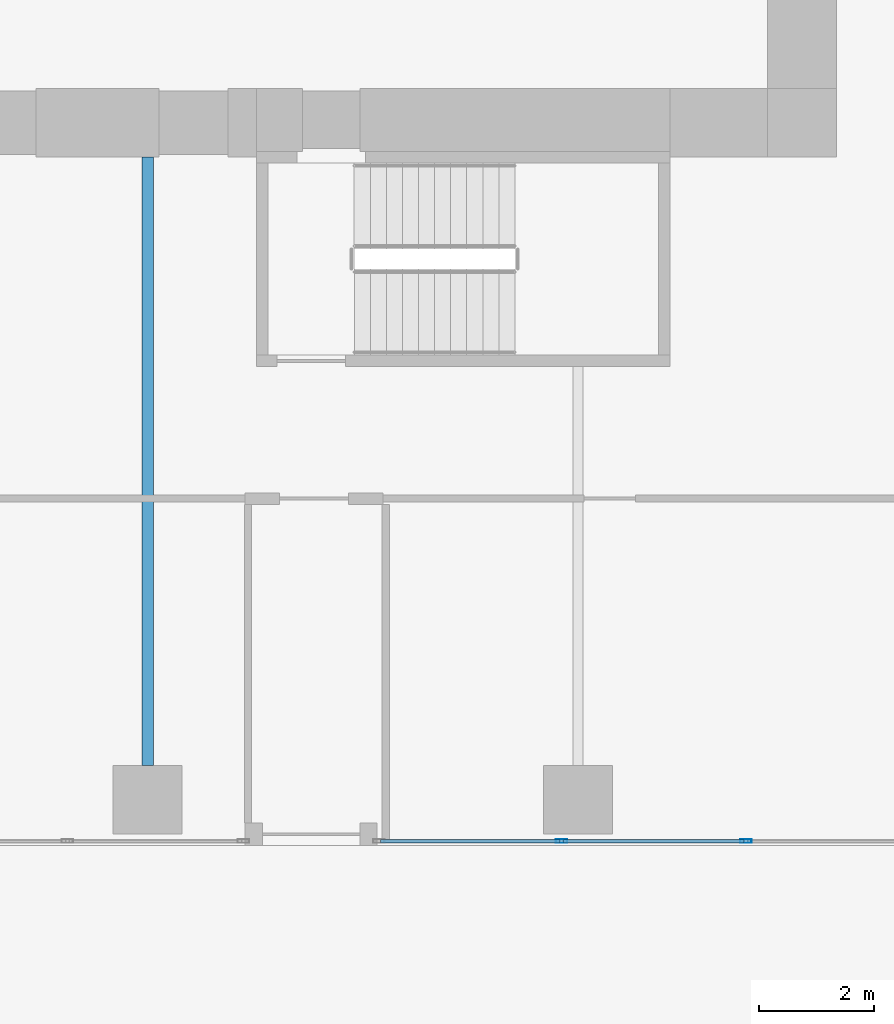
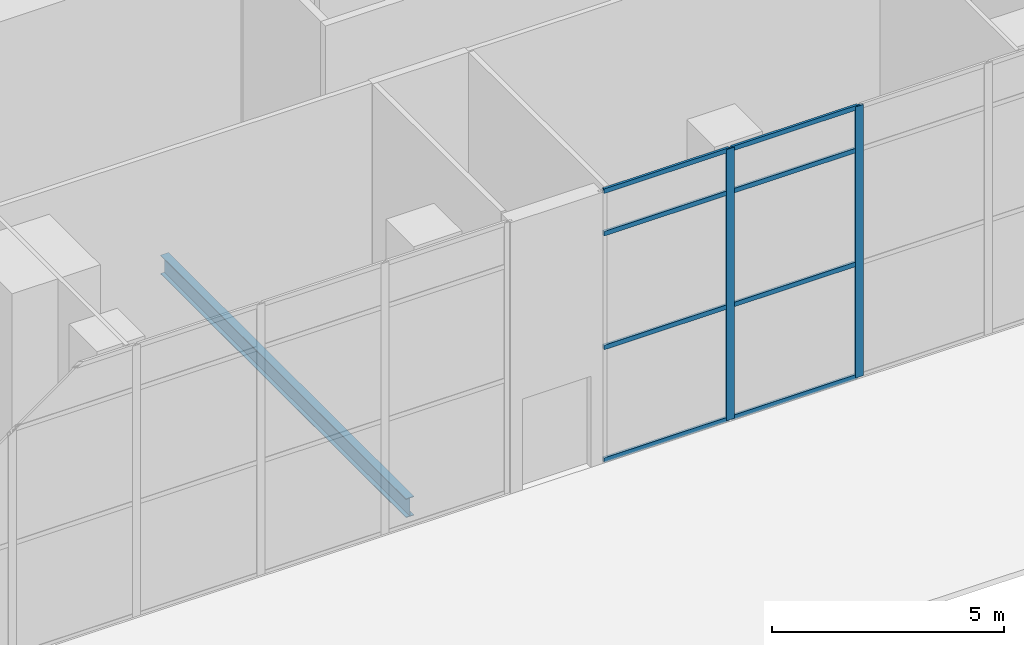
# One storey, part 6 of 52: 10 members, 1 beam, 1 element without a shape of its own.
"""IFC4 building model written with IfcOpenShell, lengths in metres."""

from ifc_helpers import new_model, si_unit, direction, frame, origin, origin_2d, place, context, subcontext, project, spatial, hollow_rectangle, i_section, extrude, source, transform, mapped, material, material_profile, profile_set, type_object, element, aggregate, save


model = new_model("IFC4")

# Units and contexts
model_context = context("Model", 3, precision=1e-05, world=origin(), true_north=direction((0.0, 1.0)))
body_context = subcontext(model_context, "Body", "Model", "MODEL_VIEW")
ifc_project = project(units=[si_unit("LENGTHUNIT", "METRE"), si_unit("AREAUNIT", "SQUARE_METRE"), si_unit("VOLUMEUNIT", "CUBIC_METRE"), si_unit("PLANEANGLEUNIT", "RADIAN"), si_unit("MASSUNIT", "GRAM", prefix="KILO")], contexts=[model_context])

# Site, building, storey
site_placement = place(None, origin())
site = spatial("IfcSite", under=ifc_project, at=site_placement, CompositionType="ELEMENT")
building_placement = place(site_placement, origin())
building = spatial("IfcBuilding", under=site, at=building_placement, Name="Khomas Fold Tower", CompositionType="ELEMENT")
storey_placement = place(building_placement, origin())
storey = spatial("IfcBuildingStorey", under=building, at=storey_placement, Name="L00", CompositionType="ELEMENT", Elevation=0.0)

# Beam
ifc_material_1 = material(Name="Steel S355", Category="steel")
ifc_material_profile_1 = material_profile(ifc_material_1, i_section(OverallWidth=0.199951171875, OverallDepth=0.5, WebThickness=0.01025390625, FlangeThickness=0.01611328125, at=origin_2d()), Name="IPE 500")
ifc_profile_set_1 = profile_set([ifc_material_profile_1], Name="Steel S355")
beam_type = type_object("IfcBeamType", Name="IPE 500 beam JB5", PredefinedType="BEAM", material=ifc_profile_set_1)
shared_shape_1 = source(origin(), body_context, "Body", "SweptSolid", [
    extrude(i_section(OverallWidth=0.199951171875, OverallDepth=0.5, WebThickness=0.01025390625, FlangeThickness=0.01611328125, at=origin_2d()), origin(), (0.0, 0.0, 1.0), 10.60009765625),
])
beam_placement = place(storey_placement, frame((12.0, 1.39990234375, -0.60009765625), z_axis=(0.0, 1.0, 0.0), x_axis=(-1.0, 0.0, 0.0)))
element("IfcBeam", 1, at=beam_placement, inside=storey, type_object=beam_type, Name="JB5", PredefinedType="BEAM", context=body_context, shape_type="MappedRepresentation", body=[
    mapped(shared_shape_1, transform((0.0, 0.0, 0.0))),
])

# Curtain wall, members
ifc_material_2 = material(Name="Aluminium framed double glazing", Category="aluminium")
curtain_wall_type = type_object("IfcCurtainWallType", Name="Shopfront glazing PD-CW", PredefinedType="NOTDEFINED", material=ifc_material_2)
curtain_wall_placement = place(storey_placement, origin())
curtain_wall = element("IfcCurtainWall", 2, at=curtain_wall_placement, inside=storey, type_object=curtain_wall_type, Name="Podium shopfront run", PredefinedType="NOTDEFINED")
ifc_material_3 = material(Name="Aluminium", Category="aluminium")
ifc_material_profile_2 = material_profile(ifc_material_3, hollow_rectangle(XDim=0.06005859375, YDim=0.199951171875, WallThickness=0.00390625, at=origin_2d()), Name="Shopfront glazing mullion PD-CW-M")
ifc_profile_set_2 = profile_set([ifc_material_profile_2], Name="Aluminium")
member_type_1 = type_object("IfcMemberType", Name="Shopfront glazing mullion PD-CW-M", PredefinedType="MULLION", material=ifc_profile_set_2)
shared_shape_2 = source(origin(), body_context, "Body", "SweptSolid", [
    extrude(hollow_rectangle(XDim=0.06005859375, YDim=0.199951171875, WallThickness=0.00390625, at=origin_2d()), origin(), (0.0, 0.0, 1.0), 7.14990234375),
])
member_1_placement = place(storey_placement, frame((19.21240234375, 0.080078125, 0.0), z_axis=(0.0, 0.0, 1.0), x_axis=(0.0, 1.0, 0.0)))
member_1 = element("IfcMember", 3, at=member_1_placement, type_object=member_type_1, Name="PD-CW mullion 2", PredefinedType="MULLION", context=body_context, shape_type="MappedRepresentation", body=[
    mapped(shared_shape_2, transform((0.0, 0.0, 0.0))),
])
member_2_placement = place(storey_placement, frame((22.425048828125, 0.080078125, 0.0), z_axis=(0.0, 0.0, 1.0), x_axis=(0.0, 1.0, 0.0)))
member_2 = element("IfcMember", 4, at=member_2_placement, type_object=member_type_1, Name="PD-CW mullion 3", PredefinedType="MULLION", context=body_context, shape_type="MappedRepresentation", body=[
    mapped(shared_shape_2, transform((0.0, 0.0, 0.0))),
])
ifc_material_4 = material(Name="Aluminium", Category="aluminium")
ifc_material_profile_3 = material_profile(ifc_material_4, hollow_rectangle(XDim=0.06005859375, YDim=0.1201171875, WallThickness=0.00390625, at=origin_2d()), Name="Shopfront glazing transom PD-CW-T")
ifc_profile_set_3 = profile_set([ifc_material_profile_3], Name="Aluminium")
member_type_2 = type_object("IfcMemberType", Name="Shopfront glazing transom PD-CW-T", PredefinedType="USERDEFINED", material=ifc_profile_set_3)
shared_shape_3 = source(origin(), body_context, "Body", "SweptSolid", [
    extrude(hollow_rectangle(XDim=0.06005859375, YDim=0.1201171875, WallThickness=0.00390625, at=origin_2d()), origin(), (0.0, 0.0, 1.0), 3.12255859375),
])
member_3_placement = place(storey_placement, frame((16.06005859375, 0.080078125, 0.030029296875), z_axis=(1.0, 0.0, 0.0), x_axis=(0.0, 1.0, 0.0)))
member_3 = element("IfcMember", 5, at=member_3_placement, type_object=member_type_2, Name="PD-CW transom 1.1", ObjectType="TRANSOM", PredefinedType="USERDEFINED", context=body_context, shape_type="MappedRepresentation", body=[
    mapped(shared_shape_3, transform((0.0, 0.0, 0.0))),
])
member_4_placement = place(storey_placement, frame((16.06005859375, 0.080078125, 3.0), z_axis=(1.0, 0.0, 0.0), x_axis=(0.0, 1.0, 0.0)))
member_4 = element("IfcMember", 6, at=member_4_placement, type_object=member_type_2, Name="PD-CW transom 1.2", ObjectType="TRANSOM", PredefinedType="USERDEFINED", context=body_context, shape_type="MappedRepresentation", body=[
    mapped(shared_shape_3, transform((0.0, 0.0, 0.0))),
])
member_5_placement = place(storey_placement, frame((16.06005859375, 0.080078125, 6.0), z_axis=(1.0, 0.0, 0.0), x_axis=(0.0, 1.0, 0.0)))
member_5 = element("IfcMember", 7, at=member_5_placement, type_object=member_type_2, Name="PD-CW transom 1.3", ObjectType="TRANSOM", PredefinedType="USERDEFINED", context=body_context, shape_type="MappedRepresentation", body=[
    mapped(shared_shape_3, transform((0.0, 0.0, 0.0))),
])
member_6_placement = place(storey_placement, frame((16.06005859375, 0.080078125, 7.1201171875), z_axis=(1.0, 0.0, 0.0), x_axis=(0.0, 1.0, 0.0)))
member_6 = element("IfcMember", 8, at=member_6_placement, type_object=member_type_2, Name="PD-CW transom 1.4", ObjectType="TRANSOM", PredefinedType="USERDEFINED", context=body_context, shape_type="MappedRepresentation", body=[
    mapped(shared_shape_3, transform((0.0, 0.0, 0.0))),
])
shared_shape_4 = source(origin(), body_context, "Body", "SweptSolid", [
    extrude(hollow_rectangle(XDim=0.06005859375, YDim=0.1201171875, WallThickness=0.00390625, at=origin_2d()), origin(), (0.0, 0.0, 1.0), 3.152587890625),
])
member_7_placement = place(storey_placement, frame((19.242431640625, 0.080078125, 0.030029296875), z_axis=(1.0, 0.0, 0.0), x_axis=(0.0, 1.0, 0.0)))
member_7 = element("IfcMember", 9, at=member_7_placement, type_object=member_type_2, Name="PD-CW transom 2.1", ObjectType="TRANSOM", PredefinedType="USERDEFINED", context=body_context, shape_type="MappedRepresentation", body=[
    mapped(shared_shape_4, transform((0.0, 0.0, 0.0))),
])
member_8_placement = place(storey_placement, frame((19.242431640625, 0.080078125, 3.0), z_axis=(1.0, 0.0, 0.0), x_axis=(0.0, 1.0, 0.0)))
member_8 = element("IfcMember", 10, at=member_8_placement, type_object=member_type_2, Name="PD-CW transom 2.2", ObjectType="TRANSOM", PredefinedType="USERDEFINED", context=body_context, shape_type="MappedRepresentation", body=[
    mapped(shared_shape_4, transform((0.0, 0.0, 0.0))),
])
member_9_placement = place(storey_placement, frame((19.242431640625, 0.080078125, 6.0), z_axis=(1.0, 0.0, 0.0), x_axis=(0.0, 1.0, 0.0)))
member_9 = element("IfcMember", 11, at=member_9_placement, type_object=member_type_2, Name="PD-CW transom 2.3", ObjectType="TRANSOM", PredefinedType="USERDEFINED", context=body_context, shape_type="MappedRepresentation", body=[
    mapped(shared_shape_4, transform((0.0, 0.0, 0.0))),
])
member_10_placement = place(storey_placement, frame((19.242431640625, 0.080078125, 7.1201171875), z_axis=(1.0, 0.0, 0.0), x_axis=(0.0, 1.0, 0.0)))
member_10 = element("IfcMember", 12, at=member_10_placement, type_object=member_type_2, Name="PD-CW transom 2.4", ObjectType="TRANSOM", PredefinedType="USERDEFINED", context=body_context, shape_type="MappedRepresentation", body=[
    mapped(shared_shape_4, transform((0.0, 0.0, 0.0))),
])
aggregate(curtain_wall, [member_1, member_2, member_3, member_4, member_5, member_6, member_7, member_8, member_9, member_10])

save(model, "model.ifc")
